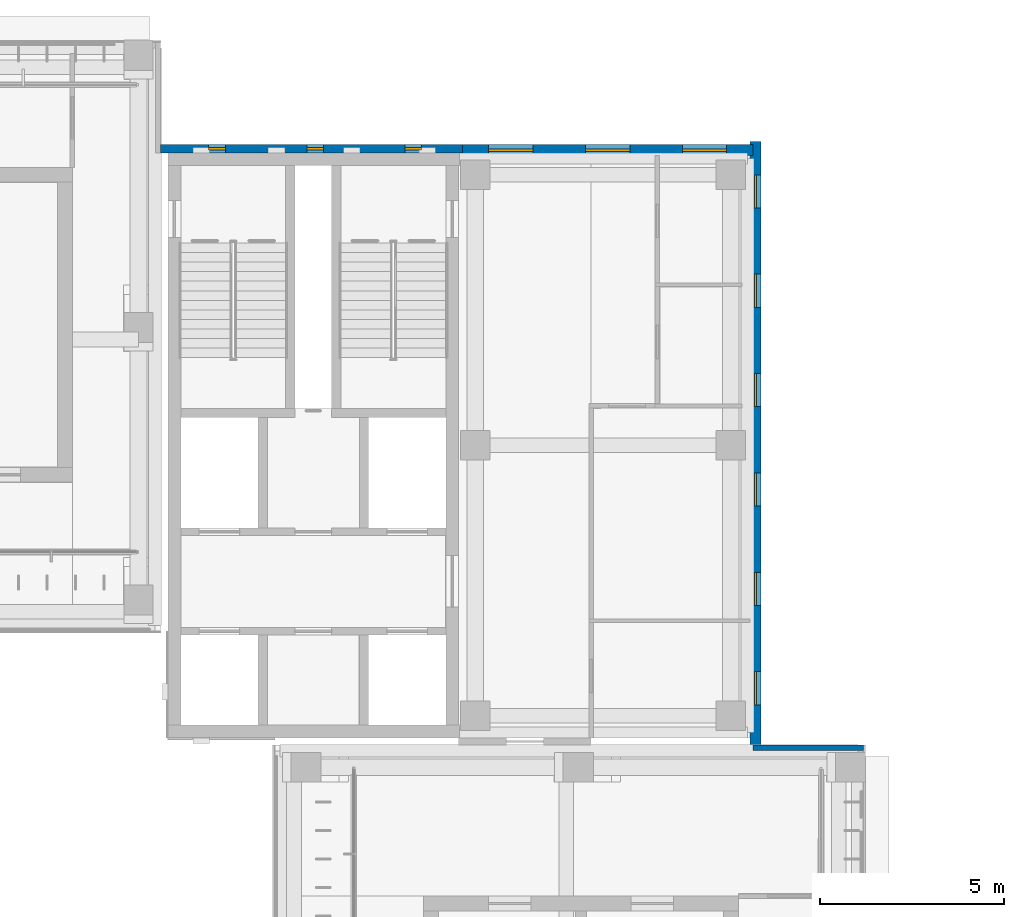
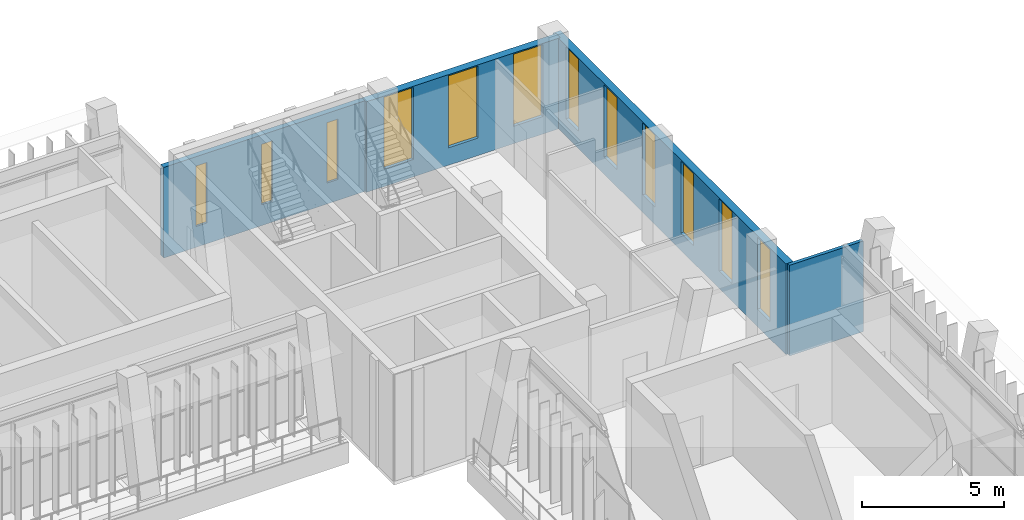
# One storey, part 68 of 89: 12 windows, 4 walls, 12 openings.
"""IFC4 building model written with IfcOpenShell, lengths in metres."""

from ifc_helpers import new_model, si_unit, direction, frame, frame_2d, origin, place, context, subcontext, project, spatial, rectangle, extrude, material, layer, layer_set, type_object, element, fill, save


model = new_model("IFC4")

# Units and contexts
model_context = context("Model", 3, precision=1e-05, world=origin(), true_north=direction((0.0, 1.0)))
body_context = subcontext(model_context, "Body", "Model", "MODEL_VIEW")
ifc_project = project(units=[si_unit("LENGTHUNIT", "METRE"), si_unit("AREAUNIT", "SQUARE_METRE"), si_unit("VOLUMEUNIT", "CUBIC_METRE"), si_unit("PLANEANGLEUNIT", "RADIAN"), si_unit("MASSUNIT", "GRAM", prefix="KILO")], contexts=[model_context])

# Site, building, storey
site_placement = place(None, origin())
site = spatial("IfcSite", under=ifc_project, at=site_placement, CompositionType="ELEMENT")
building_placement = place(site_placement, origin())
building = spatial("IfcBuilding", under=site, at=building_placement, Name="Lantern Court Media Centre", CompositionType="ELEMENT")
storey_placement = place(building_placement, frame((0.0, 0.0, 14.39990234375)))
storey = spatial("IfcBuildingStorey", under=building, at=storey_placement, Name="L03", CompositionType="ELEMENT", Elevation=14.39990234375)

# Wall, openings, windows
ifc_material_1 = material(Name="Honed limestone cladding on blockwork", Category="masonry")
ifc_layer_1 = layer(ifc_material_1, 0.300048828125)
ifc_layer_set_1 = layer_set([ifc_layer_1], Name="Honed limestone cladding on blockwork")
wall_type_1 = type_object("IfcWallType", Name="Limestone block wall 300", PredefinedType="SOLIDWALL", material=ifc_layer_set_1)
wall_1_placement = place(storey_placement, frame((96.070068359375, 95.89990234375, 0.0), z_axis=(0.0, 0.0, 1.0), x_axis=(0.0, 1.0, 0.0)))
wall_1 = element("IfcWall", 1, at=wall_1_placement, inside=storey, type_object=wall_type_1, Name="Limestone wall NE E L03", PredefinedType="SOLIDWALL", context=body_context, shape_type="SweptSolid", body=[
    extrude(rectangle(XDim=16.400146484375, YDim=0.300048828125, at=frame_2d((8.2001953125, 0.0))), origin(), (0.0, 0.0, 1.0), 3.900146484375),
])
opening_1_placement = place(wall_1_placement, frame((1.10009765625, 0.0, 0.75)))
opening_1 = element("IfcOpeningElement", 2, at=opening_1_placement, cuts=wall_1, Name="Opening WN-N", PredefinedType="OPENING", context=body_context, shape_type="SweptSolid", body=[
    extrude(rectangle(XDim=0.89990234375, YDim=3.10009765625, at=frame_2d((0.449951171875, 1.550048828125))), frame((0.0, 0.159912109375, 0.0), z_axis=(0.0, -1.0, 0.0), x_axis=(1.0, 0.0, 0.0)), (0.0, 0.0, 1.0), 0.320068359375),
])
opening_2_placement = place(wall_1_placement, frame((3.800048828125, 0.0, 0.75)))
opening_2 = element("IfcOpeningElement", 3, at=opening_2_placement, cuts=wall_1, Name="Opening WN-N", PredefinedType="OPENING", context=body_context, shape_type="SweptSolid", body=[
    extrude(rectangle(XDim=0.89990234375, YDim=3.10009765625, at=frame_2d((0.449951171875, 1.550048828125))), frame((0.0, 0.159912109375, 0.0), z_axis=(0.0, -1.0, 0.0), x_axis=(1.0, 0.0, 0.0)), (0.0, 0.0, 1.0), 0.320068359375),
])
opening_3_placement = place(wall_1_placement, frame((6.5, 0.0, 0.75)))
opening_3 = element("IfcOpeningElement", 4, at=opening_3_placement, cuts=wall_1, Name="Opening WN-N", PredefinedType="OPENING", context=body_context, shape_type="SweptSolid", body=[
    extrude(rectangle(XDim=0.89990234375, YDim=3.10009765625, at=frame_2d((0.449951171875, 1.550048828125))), frame((0.0, 0.159912109375, 0.0), z_axis=(0.0, -1.0, 0.0), x_axis=(1.0, 0.0, 0.0)), (0.0, 0.0, 1.0), 0.320068359375),
])
opening_4_placement = place(wall_1_placement, frame((9.199951171875, 0.0, 0.75)))
opening_4 = element("IfcOpeningElement", 5, at=opening_4_placement, cuts=wall_1, Name="Opening WN-N", PredefinedType="OPENING", context=body_context, shape_type="SweptSolid", body=[
    extrude(rectangle(XDim=0.89990234375, YDim=3.10009765625, at=frame_2d((0.449951171875, 1.550048828125))), frame((0.0, 0.159912109375, 0.0), z_axis=(0.0, -1.0, 0.0), x_axis=(1.0, 0.0, 0.0)), (0.0, 0.0, 1.0), 0.320068359375),
])
opening_5_placement = place(wall_1_placement, frame((11.89990234375, 0.0, 0.75)))
opening_5 = element("IfcOpeningElement", 6, at=opening_5_placement, cuts=wall_1, Name="Opening WN-N", PredefinedType="OPENING", context=body_context, shape_type="SweptSolid", body=[
    extrude(rectangle(XDim=0.89990234375, YDim=3.10009765625, at=frame_2d((0.449951171875, 1.550048828125))), frame((0.0, 0.159912109375, 0.0), z_axis=(0.0, -1.0, 0.0), x_axis=(1.0, 0.0, 0.0)), (0.0, 0.0, 1.0), 0.320068359375),
])
opening_6_placement = place(wall_1_placement, frame((14.60009765625, 0.0, 0.75)))
opening_6 = element("IfcOpeningElement", 7, at=opening_6_placement, cuts=wall_1, Name="Opening WN-N", PredefinedType="OPENING", context=body_context, shape_type="SweptSolid", body=[
    extrude(rectangle(XDim=0.89990234375, YDim=3.10009765625, at=frame_2d((0.449951171875, 1.550048828125))), frame((0.0, 0.159912109375, 0.0), z_axis=(0.0, -1.0, 0.0), x_axis=(1.0, 0.0, 0.0)), (0.0, 0.0, 1.0), 0.320068359375),
])
ifc_material_2 = material(Name="Anodised aluminium and glass", Category="aluminium")
window_type_1 = type_object("IfcWindowType", Name="Pier window 900x3100", PartitioningType="SINGLE_PANEL", PredefinedType="WINDOW", material=ifc_material_2)
window_1_placement = place(opening_1_placement, origin())
window_1 = element("IfcWindow", 8, at=window_1_placement, inside=storey, type_object=window_type_1, Name="Window NE E L03", OverallHeight=3.10009765625, OverallWidth=0.89990234375, PartitioningType="SINGLE_PANEL", PredefinedType="WINDOW", context=body_context, shape_type="SweptSolid", body=[
    extrude(rectangle(XDim=0.89990234375, YDim=3.10009765625, at=frame_2d((0.449951171875, 1.550048828125))), frame((0.0, 0.030029296875, 0.0), z_axis=(0.0, -1.0, 0.0), x_axis=(1.0, 0.0, 0.0)), (0.0, 0.0, 1.0), 0.06005859375),
])
fill(opening_1, window_1)
window_2_placement = place(opening_2_placement, origin())
window_2 = element("IfcWindow", 9, at=window_2_placement, inside=storey, type_object=window_type_1, Name="Window NE E L03", OverallHeight=3.10009765625, OverallWidth=0.89990234375, PartitioningType="SINGLE_PANEL", PredefinedType="WINDOW", context=body_context, shape_type="SweptSolid", body=[
    extrude(rectangle(XDim=0.89990234375, YDim=3.10009765625, at=frame_2d((0.449951171875, 1.550048828125))), frame((0.0, 0.030029296875, 0.0), z_axis=(0.0, -1.0, 0.0), x_axis=(1.0, 0.0, 0.0)), (0.0, 0.0, 1.0), 0.06005859375),
])
fill(opening_2, window_2)
window_3_placement = place(opening_3_placement, origin())
window_3 = element("IfcWindow", 10, at=window_3_placement, inside=storey, type_object=window_type_1, Name="Window NE E L03", OverallHeight=3.10009765625, OverallWidth=0.89990234375, PartitioningType="SINGLE_PANEL", PredefinedType="WINDOW", context=body_context, shape_type="SweptSolid", body=[
    extrude(rectangle(XDim=0.89990234375, YDim=3.10009765625, at=frame_2d((0.449951171875, 1.550048828125))), frame((0.0, 0.030029296875, 0.0), z_axis=(0.0, -1.0, 0.0), x_axis=(1.0, 0.0, 0.0)), (0.0, 0.0, 1.0), 0.06005859375),
])
fill(opening_3, window_3)
window_4_placement = place(opening_4_placement, origin())
window_4 = element("IfcWindow", 11, at=window_4_placement, inside=storey, type_object=window_type_1, Name="Window NE E L03", OverallHeight=3.10009765625, OverallWidth=0.89990234375, PartitioningType="SINGLE_PANEL", PredefinedType="WINDOW", context=body_context, shape_type="SweptSolid", body=[
    extrude(rectangle(XDim=0.89990234375, YDim=3.10009765625, at=frame_2d((0.449951171875, 1.550048828125))), frame((0.0, 0.030029296875, 0.0), z_axis=(0.0, -1.0, 0.0), x_axis=(1.0, 0.0, 0.0)), (0.0, 0.0, 1.0), 0.06005859375),
])
fill(opening_4, window_4)
window_5_placement = place(opening_5_placement, origin())
window_5 = element("IfcWindow", 12, at=window_5_placement, inside=storey, type_object=window_type_1, Name="Window NE E L03", OverallHeight=3.10009765625, OverallWidth=0.89990234375, PartitioningType="SINGLE_PANEL", PredefinedType="WINDOW", context=body_context, shape_type="SweptSolid", body=[
    extrude(rectangle(XDim=0.89990234375, YDim=3.10009765625, at=frame_2d((0.449951171875, 1.550048828125))), frame((0.0, 0.030029296875, 0.0), z_axis=(0.0, -1.0, 0.0), x_axis=(1.0, 0.0, 0.0)), (0.0, 0.0, 1.0), 0.06005859375),
])
fill(opening_5, window_5)
window_6_placement = place(opening_6_placement, origin())
window_6 = element("IfcWindow", 13, at=window_6_placement, inside=storey, type_object=window_type_1, Name="Window NE E L03", OverallHeight=3.10009765625, OverallWidth=0.89990234375, PartitioningType="SINGLE_PANEL", PredefinedType="WINDOW", context=body_context, shape_type="SweptSolid", body=[
    extrude(rectangle(XDim=0.89990234375, YDim=3.10009765625, at=frame_2d((0.449951171875, 1.550048828125))), frame((0.0, 0.030029296875, 0.0), z_axis=(0.0, -1.0, 0.0), x_axis=(1.0, 0.0, 0.0)), (0.0, 0.0, 1.0), 0.06005859375),
])
fill(opening_6, window_6)

wall_2_placement = place(storey_placement, frame((88.10009765625, 112.070068359375, 0.0), z_axis=(0.0, 0.0, 1.0), x_axis=(1.0, 0.0, 0.0)))
wall_2 = element("IfcWall", 14, at=wall_2_placement, inside=storey, type_object=wall_type_1, Name="Limestone wall NE N L03", PredefinedType="SOLIDWALL", context=body_context, shape_type="SweptSolid", body=[
    extrude(rectangle(XDim=7.89990234375, YDim=0.300048828125, at=frame_2d((3.949951171875, 0.0))), origin(), (0.0, 0.0, 1.0), 3.900146484375),
])
opening_7_placement = place(wall_2_placement, frame((0.716552734375, 0.0, 0.75)))
opening_7 = element("IfcOpeningElement", 15, at=opening_7_placement, cuts=wall_2, Name="Opening WN-T", PredefinedType="OPENING", context=body_context, shape_type="SweptSolid", body=[
    extrude(rectangle(XDim=1.199951171875, YDim=3.10009765625, at=frame_2d((0.60009765625, 1.550048828125))), frame((0.0, 0.159912109375, 0.0), z_axis=(0.0, -1.0, 0.0), x_axis=(1.0, 0.0, 0.0)), (0.0, 0.0, 1.0), 0.320068359375),
])
opening_8_placement = place(wall_2_placement, frame((3.35009765625, 0.0, 0.75)))
opening_8 = element("IfcOpeningElement", 16, at=opening_8_placement, cuts=wall_2, Name="Opening WN-T", PredefinedType="OPENING", context=body_context, shape_type="SweptSolid", body=[
    extrude(rectangle(XDim=1.199951171875, YDim=3.10009765625, at=frame_2d((0.60009765625, 1.550048828125))), frame((0.0, 0.159912109375, 0.0), z_axis=(0.0, -1.0, 0.0), x_axis=(1.0, 0.0, 0.0)), (0.0, 0.0, 1.0), 0.320068359375),
])
opening_9_placement = place(wall_2_placement, frame((5.9833984375, 0.0, 0.75)))
opening_9 = element("IfcOpeningElement", 17, at=opening_9_placement, cuts=wall_2, Name="Opening WN-T", PredefinedType="OPENING", context=body_context, shape_type="SweptSolid", body=[
    extrude(rectangle(XDim=1.199951171875, YDim=3.10009765625, at=frame_2d((0.60009765625, 1.550048828125))), frame((0.0, 0.159912109375, 0.0), z_axis=(0.0, -1.0, 0.0), x_axis=(1.0, 0.0, 0.0)), (0.0, 0.0, 1.0), 0.320068359375),
])
window_type_2 = type_object("IfcWindowType", Name="Tall window 1200x3100", PartitioningType="SINGLE_PANEL", PredefinedType="WINDOW", material=ifc_material_2)
window_7_placement = place(opening_7_placement, origin())
window_7 = element("IfcWindow", 18, at=window_7_placement, inside=storey, type_object=window_type_2, Name="Window NE N L03", OverallHeight=3.10009765625, OverallWidth=1.199951171875, PartitioningType="SINGLE_PANEL", PredefinedType="WINDOW", context=body_context, shape_type="SweptSolid", body=[
    extrude(rectangle(XDim=1.199951171875, YDim=3.10009765625, at=frame_2d((0.60009765625, 1.550048828125))), frame((0.0, 0.030029296875, 0.0), z_axis=(0.0, -1.0, 0.0), x_axis=(1.0, 0.0, 0.0)), (0.0, 0.0, 1.0), 0.06005859375),
])
fill(opening_7, window_7)
window_8_placement = place(opening_8_placement, origin())
window_8 = element("IfcWindow", 19, at=window_8_placement, inside=storey, type_object=window_type_2, Name="Window NE N L03", OverallHeight=3.10009765625, OverallWidth=1.199951171875, PartitioningType="SINGLE_PANEL", PredefinedType="WINDOW", context=body_context, shape_type="SweptSolid", body=[
    extrude(rectangle(XDim=1.199951171875, YDim=3.10009765625, at=frame_2d((0.60009765625, 1.550048828125))), frame((0.0, 0.030029296875, 0.0), z_axis=(0.0, -1.0, 0.0), x_axis=(1.0, 0.0, 0.0)), (0.0, 0.0, 1.0), 0.06005859375),
])
fill(opening_8, window_8)
window_9_placement = place(opening_9_placement, origin())
window_9 = element("IfcWindow", 20, at=window_9_placement, inside=storey, type_object=window_type_2, Name="Window NE N L03", OverallHeight=3.10009765625, OverallWidth=1.199951171875, PartitioningType="SINGLE_PANEL", PredefinedType="WINDOW", context=body_context, shape_type="SweptSolid", body=[
    extrude(rectangle(XDim=1.199951171875, YDim=3.10009765625, at=frame_2d((0.60009765625, 1.550048828125))), frame((0.0, 0.030029296875, 0.0), z_axis=(0.0, -1.0, 0.0), x_axis=(1.0, 0.0, 0.0)), (0.0, 0.0, 1.0), 0.06005859375),
])
fill(opening_9, window_9)

# Wall
ifc_layer_2 = layer(ifc_material_1, 0.139892578125)
ifc_layer_set_2 = layer_set([ifc_layer_2], Name="Honed limestone cladding on blockwork")
wall_type_2 = type_object("IfcWallType", Name="Limestone closure wall 140", PredefinedType="SOLIDWALL", material=ifc_layer_set_2)
wall_3_placement = place(storey_placement, frame((96.0, 95.830078125, 0.0), z_axis=(0.0, 0.0, 1.0), x_axis=(1.0, 0.0, 0.0)))
element("IfcWall", 21, at=wall_3_placement, inside=storey, type_object=wall_type_2, Name="Limestone closure wall E-NE L03", PredefinedType="SOLIDWALL", context=body_context, shape_type="SweptSolid", body=[
    extrude(rectangle(XDim=3.0, YDim=0.139892578125, at=frame_2d((1.5, 0.0))), origin(), (0.0, 0.0, 1.0), 3.900146484375),
])

# Wall, openings, windows
ifc_material_3 = material(Name="Honed limestone cladding on blockwork, reduced to 220 where it passes the core wall", Category="masonry")
ifc_layer_3 = layer(ifc_material_3, 0.219970703125)
ifc_layer_set_3 = layer_set([ifc_layer_3], Name="Honed limestone cladding on blockwork, reduced to 220 where it passes the core wall")
wall_type_3 = type_object("IfcWallType", Name="Limestone skin wall 220", PredefinedType="SOLIDWALL", material=ifc_layer_set_3)
wall_4_placement = place(storey_placement, frame((79.89990234375, 112.110107421875, 0.0), z_axis=(0.0, 0.0, 1.0), x_axis=(1.0, 0.0, 0.0)))
wall_4 = element("IfcWall", 22, at=wall_4_placement, inside=storey, type_object=wall_type_3, Name="Limestone wall NE N L03", PredefinedType="SOLIDWALL", context=body_context, shape_type="SweptSolid", body=[
    extrude(rectangle(XDim=8.2001953125, YDim=0.219970703125, at=frame_2d((4.10009765625, 0.0))), origin(), (0.0, 0.0, 1.0), 3.900146484375),
])
opening_10_placement = place(wall_4_placement, frame((1.308349609375, 0.0, 0.89990234375)))
opening_10 = element("IfcOpeningElement", 23, at=opening_10_placement, cuts=wall_4, Name="Opening WN-S", PredefinedType="OPENING", context=body_context, shape_type="SweptSolid", body=[
    extrude(rectangle(XDim=0.449951171875, YDim=2.60009765625, at=frame_2d((0.22509765625, 1.300048828125))), frame((0.0, 0.119873046875, 0.0), z_axis=(0.0, -1.0, 0.0), x_axis=(1.0, 0.0, 0.0)), (0.0, 0.0, 1.0), 0.239990234375),
])
opening_11_placement = place(wall_4_placement, frame((3.97509765625, 0.0, 0.89990234375)))
opening_11 = element("IfcOpeningElement", 24, at=opening_11_placement, cuts=wall_4, Name="Opening WN-S", PredefinedType="OPENING", context=body_context, shape_type="SweptSolid", body=[
    extrude(rectangle(XDim=0.449951171875, YDim=2.60009765625, at=frame_2d((0.22509765625, 1.300048828125))), frame((0.0, 0.119873046875, 0.0), z_axis=(0.0, -1.0, 0.0), x_axis=(1.0, 0.0, 0.0)), (0.0, 0.0, 1.0), 0.239990234375),
])
opening_12_placement = place(wall_4_placement, frame((6.6416015625, 0.0, 0.89990234375)))
opening_12 = element("IfcOpeningElement", 25, at=opening_12_placement, cuts=wall_4, Name="Opening WN-S", PredefinedType="OPENING", context=body_context, shape_type="SweptSolid", body=[
    extrude(rectangle(XDim=0.449951171875, YDim=2.60009765625, at=frame_2d((0.22509765625, 1.300048828125))), frame((0.0, 0.119873046875, 0.0), z_axis=(0.0, -1.0, 0.0), x_axis=(1.0, 0.0, 0.0)), (0.0, 0.0, 1.0), 0.239990234375),
])
window_type_3 = type_object("IfcWindowType", Name="Stair slit window 450x2600", PartitioningType="SINGLE_PANEL", PredefinedType="WINDOW", material=ifc_material_2)
window_10_placement = place(opening_10_placement, origin())
window_10 = element("IfcWindow", 26, at=window_10_placement, inside=storey, type_object=window_type_3, Name="Window NE N L03", OverallHeight=2.60009765625, OverallWidth=0.449951171875, PartitioningType="SINGLE_PANEL", PredefinedType="WINDOW", context=body_context, shape_type="SweptSolid", body=[
    extrude(rectangle(XDim=0.449951171875, YDim=2.60009765625, at=frame_2d((0.22509765625, 1.300048828125))), frame((0.0, 0.030029296875, 0.0), z_axis=(0.0, -1.0, 0.0), x_axis=(1.0, 0.0, 0.0)), (0.0, 0.0, 1.0), 0.06005859375),
])
fill(opening_10, window_10)
window_11_placement = place(opening_11_placement, origin())
window_11 = element("IfcWindow", 27, at=window_11_placement, inside=storey, type_object=window_type_3, Name="Window NE N L03", OverallHeight=2.60009765625, OverallWidth=0.449951171875, PartitioningType="SINGLE_PANEL", PredefinedType="WINDOW", context=body_context, shape_type="SweptSolid", body=[
    extrude(rectangle(XDim=0.449951171875, YDim=2.60009765625, at=frame_2d((0.22509765625, 1.300048828125))), frame((0.0, 0.030029296875, 0.0), z_axis=(0.0, -1.0, 0.0), x_axis=(1.0, 0.0, 0.0)), (0.0, 0.0, 1.0), 0.06005859375),
])
fill(opening_11, window_11)
window_12_placement = place(opening_12_placement, origin())
window_12 = element("IfcWindow", 28, at=window_12_placement, inside=storey, type_object=window_type_3, Name="Window NE N L03", OverallHeight=2.60009765625, OverallWidth=0.449951171875, PartitioningType="SINGLE_PANEL", PredefinedType="WINDOW", context=body_context, shape_type="SweptSolid", body=[
    extrude(rectangle(XDim=0.449951171875, YDim=2.60009765625, at=frame_2d((0.22509765625, 1.300048828125))), frame((0.0, 0.030029296875, 0.0), z_axis=(0.0, -1.0, 0.0), x_axis=(1.0, 0.0, 0.0)), (0.0, 0.0, 1.0), 0.06005859375),
])
fill(opening_12, window_12)

save(model, "model.ifc")
